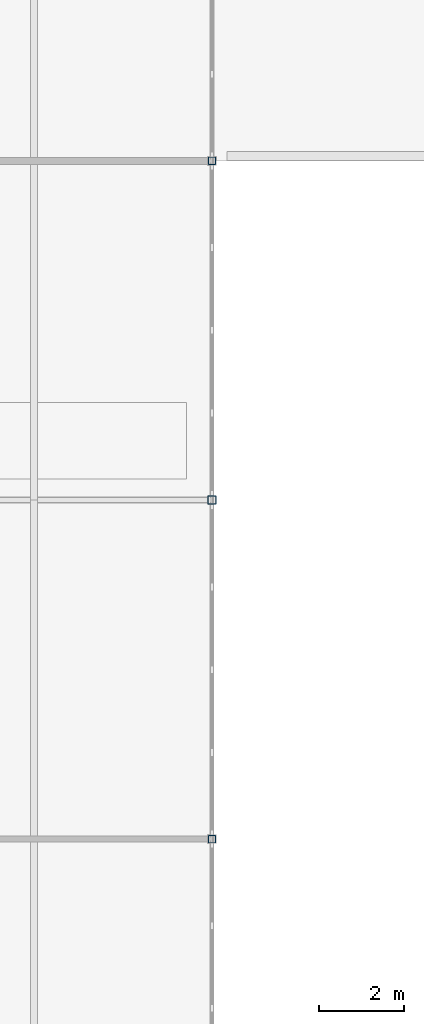
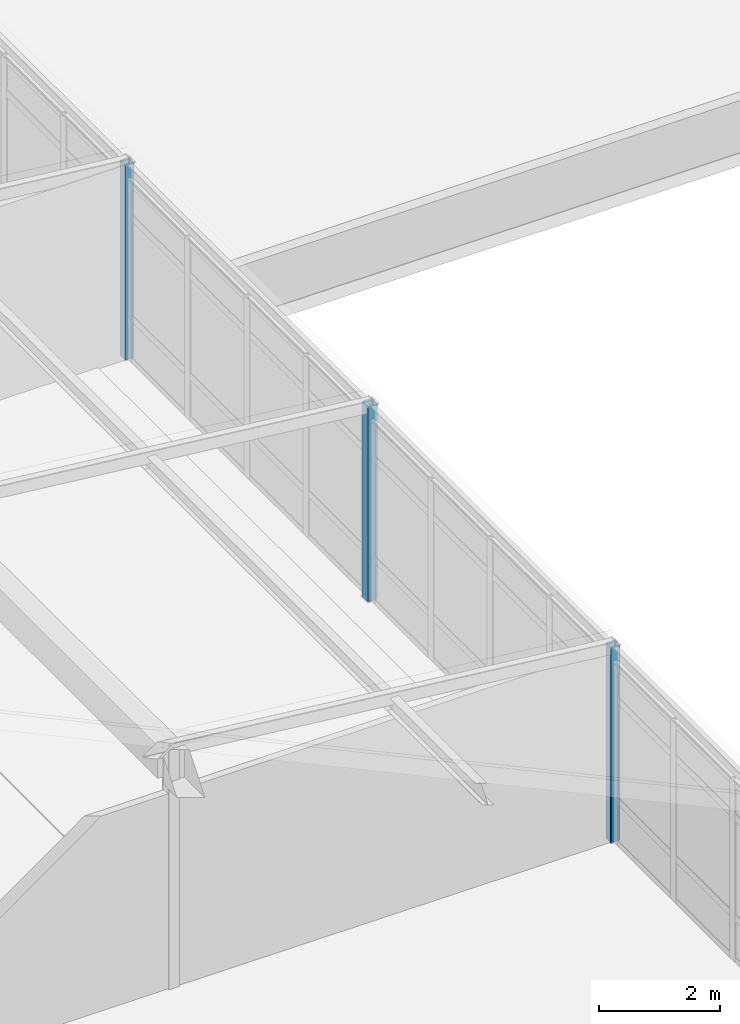
# One storey, part 5 of 25: 3 columns.
"""IFC4 building model written with IfcOpenShell, lengths in metres."""

from ifc_helpers import new_model, si_unit, direction, frame, origin, origin_2d, place, context, subcontext, project, spatial, hollow_rectangle, extrude, material, material_profile, profile_set, type_object, element, save


model = new_model("IFC4")

# Units and contexts
model_context = context("Model", 3, precision=1e-05, world=origin(), true_north=direction((0.0, 1.0)))
body_context = subcontext(model_context, "Body", "Model", "MODEL_VIEW")
ifc_project = project(units=[si_unit("LENGTHUNIT", "METRE"), si_unit("AREAUNIT", "SQUARE_METRE"), si_unit("VOLUMEUNIT", "CUBIC_METRE"), si_unit("PLANEANGLEUNIT", "RADIAN"), si_unit("MASSUNIT", "GRAM", prefix="KILO")], contexts=[model_context])

# Site, building, storey
site_placement = place(None, origin())
site = spatial("IfcSite", under=ifc_project, at=site_placement, CompositionType="ELEMENT")
building_placement = place(site_placement, origin())
building = spatial("IfcBuilding", under=site, at=building_placement, Name="Kranzveld Transit Interchange", CompositionType="ELEMENT")
storey_placement = place(building_placement, frame((0.0, 0.0, 21.0400390625)))
storey = spatial("IfcBuildingStorey", under=building, at=storey_placement, Name="L05", CompositionType="ELEMENT", Elevation=21.0400390625)

# Columns
ifc_material_1 = material(Name="Steel S355JR", Category="steel")
ifc_material_profile_1 = material_profile(ifc_material_1, hollow_rectangle(XDim=0.179931640625, YDim=0.179931640625, WallThickness=0.008056640625, InnerFilletRadius=0.011962890625, OuterFilletRadius=0.02001953125, at=origin_2d()), Name="SHS 180x180x8")
ifc_profile_set_1 = profile_set([ifc_material_profile_1], Name="Steel S355JR")
column_type_1 = type_object("IfcColumnType", Name="Landing Post SHS 180x180x8 S355JR", PredefinedType="COLUMN", material=ifc_profile_set_1)
for number, where, z_axis, x_axis, name in (
    (1, (33.60009765625, 72.0, 0.0), (0.0, 0.0, 1.0), (1.0, 0.0, 0.0), "L05 Column 05/K"),
    (2, (33.60009765625, 88.0, 0.0), (0.0, 0.0, 1.0), (1.0, 0.0, 0.0), "L05 Column 05/M"),
):
    element("IfcColumn", number, at=place(storey_placement, frame(where, z_axis=z_axis, x_axis=x_axis)), inside=storey, type_object=column_type_1, Name=name, PredefinedType="COLUMN", context=body_context, shape_type="SweptSolid", body=[
        extrude(hollow_rectangle(XDim=0.179931640625, YDim=0.179931640625, WallThickness=0.008056640625, InnerFilletRadius=0.011962890625, OuterFilletRadius=0.02001953125, at=origin_2d()), origin(), (0.0, 0.0, 1.0), 3.919921875),
    ])
ifc_material_2 = material(Name="Steel S355JR", Category="steel")
ifc_material_profile_2 = material_profile(ifc_material_2, hollow_rectangle(XDim=0.199951171875, YDim=0.199951171875, WallThickness=0.010009765625, InnerFilletRadius=0.014892578125, OuterFilletRadius=0.02490234375, at=origin_2d()), Name="SHS 200x200x10")
ifc_profile_set_2 = profile_set([ifc_material_profile_2], Name="Steel S355JR")
column_type_2 = type_object("IfcColumnType", Name="Pavilion Post SHS 200x200x10 S355JR", PredefinedType="COLUMN", material=ifc_profile_set_2)
column_placement = place(storey_placement, frame((33.60009765625, 80.0, 0.0), z_axis=(0.0, 0.0, 1.0), x_axis=(1.0, 0.0, 0.0)))
element("IfcColumn", 3, at=column_placement, inside=storey, type_object=column_type_2, Name="L05 Column 05/L", PredefinedType="COLUMN", context=body_context, shape_type="SweptSolid", body=[
    extrude(hollow_rectangle(XDim=0.199951171875, YDim=0.199951171875, WallThickness=0.010009765625, InnerFilletRadius=0.014892578125, OuterFilletRadius=0.02490234375, at=origin_2d()), origin(), (0.0, 0.0, 1.0), 3.919921875),
])

save(model, "model.ifc")
